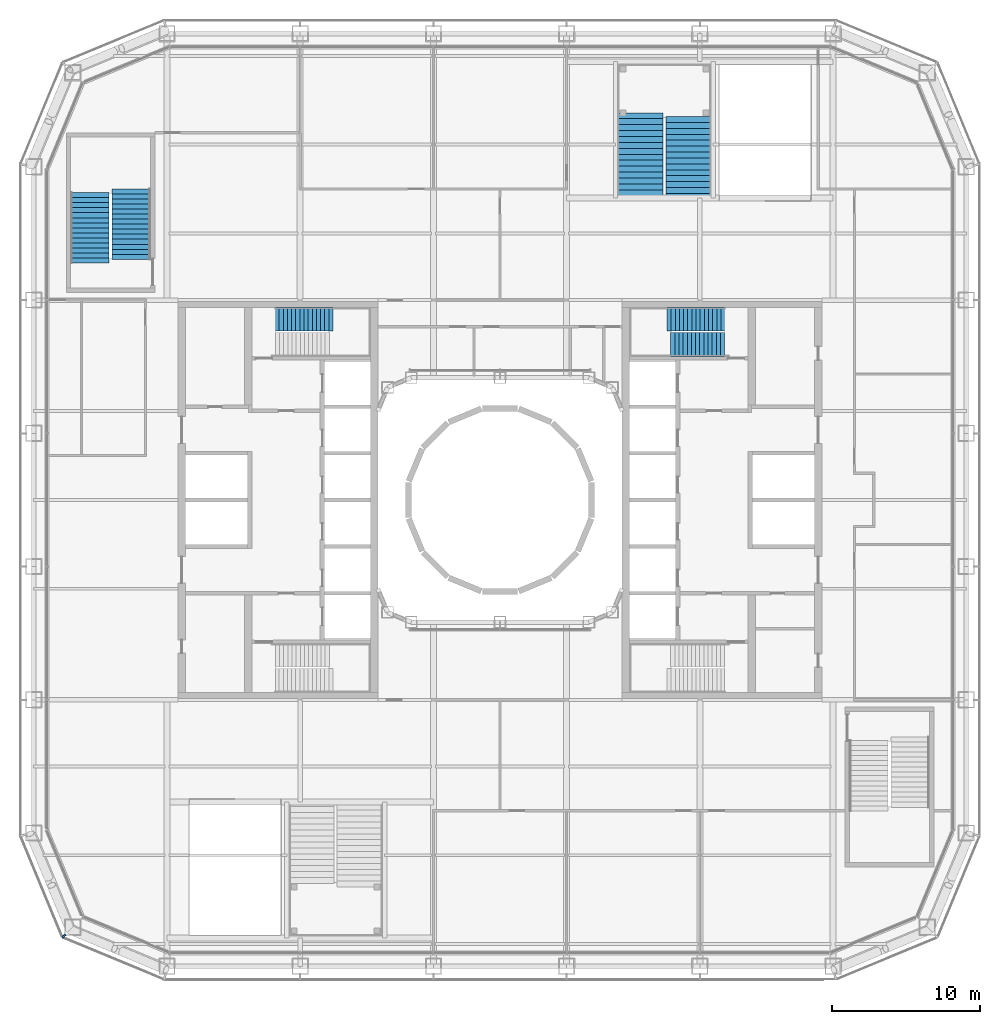
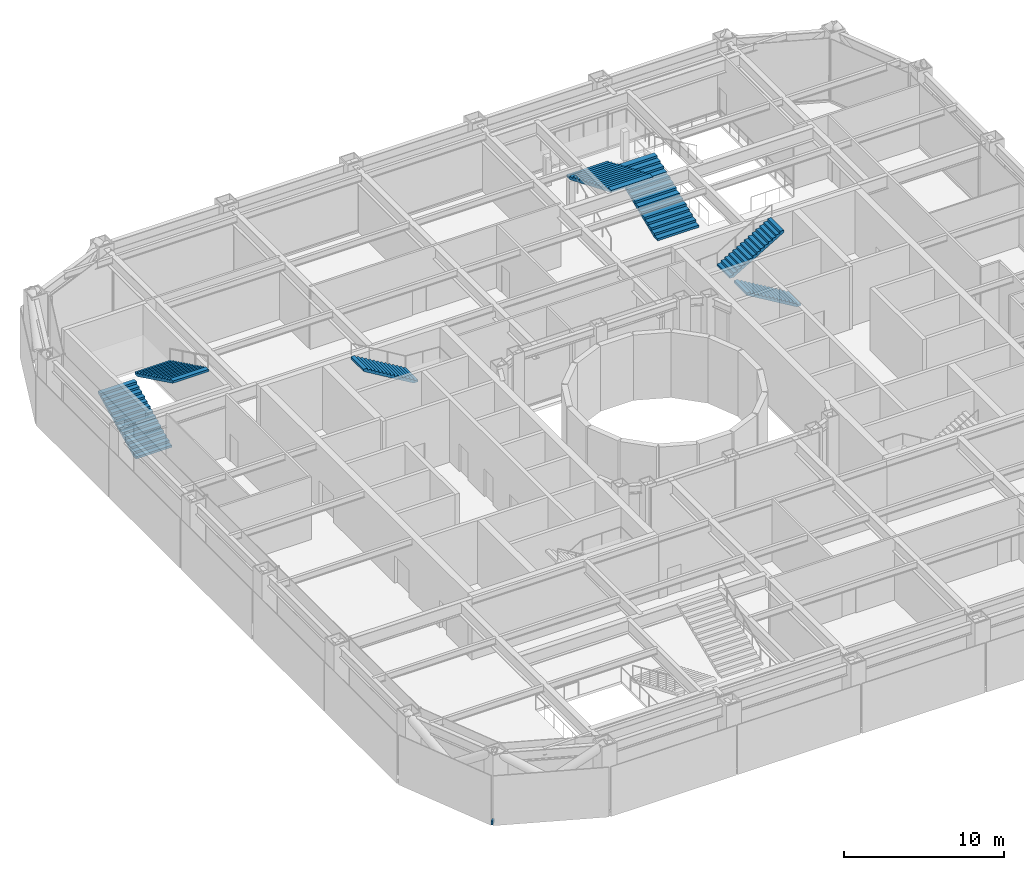
# One storey, part 16 of 25: 7 stair flights, 1 discrete accessory, 4 elements without a shape of their own.
"""IFC4 building model written with IfcOpenShell, lengths in metres."""

from ifc_helpers import new_model, si_unit, direction, frame, origin, origin_2d, place, context, subcontext, project, spatial, polyline, rectangle, outline, extrude, material, type_object, element, aggregate, save


model = new_model("IFC4")

# Units and contexts
model_context = context("Model", 3, precision=1e-05, world=origin(), true_north=direction((0.0, 1.0)))
body_context = subcontext(model_context, "Body", "Model", "MODEL_VIEW")
ifc_project = project(units=[si_unit("LENGTHUNIT", "METRE"), si_unit("AREAUNIT", "SQUARE_METRE"), si_unit("VOLUMEUNIT", "CUBIC_METRE"), si_unit("PLANEANGLEUNIT", "RADIAN"), si_unit("MASSUNIT", "GRAM", prefix="KILO")], contexts=[model_context])

# Site, building, storey
site_placement = place(None, origin())
site = spatial("IfcSite", under=ifc_project, at=site_placement, CompositionType="ELEMENT")
building_placement = place(site_placement, origin())
building = spatial("IfcBuilding", under=site, at=building_placement, Name="Siwar Civic Tower", CompositionType="ELEMENT")
storey_placement = place(building_placement, frame((0.0, 0.0, 7.199951171875)))
storey = spatial("IfcBuildingStorey", under=building, at=storey_placement, Name="L01", CompositionType="ELEMENT", Elevation=7.199951171875)

# Stair, stair flight
ifc_material_1 = material(Name="Concrete C40/50", Category="concrete")
stair_type_1 = type_object("IfcStairType", Name="CORE-STAIR", PredefinedType="TWO_STRAIGHT_RUN_STAIR", material=ifc_material_1)
stair_1_placement = place(storey_placement, origin())
stair_1 = element("IfcStair", 1, at=stair_1_placement, inside=storey, type_object=stair_type_1, Name="Exit stair ST1", PredefinedType="TWO_STRAIGHT_RUN_STAIR")
ifc_material_2 = material(Name="Concrete C40/50", Category="concrete")
stair_flight_type_1 = type_object("IfcStairFlightType", Name="CORE-STAIR-FLIGHT", PredefinedType="STRAIGHT", material=ifc_material_2)
stair_flight_1_placement = place(storey_placement, frame((-11.280029296875, 12.199951171875, 2.5), z_axis=(0.0, 0.0, 1.0), x_axis=(-1.0, 0.0, 0.0)))
stair_flight_1 = element("IfcStairFlight", 2, at=stair_flight_1_placement, type_object=stair_flight_type_1, Name="ST1 flight 2", NumberOfRisers=15, NumberOfTreads=14, PredefinedType="STRAIGHT", RiserHeight=0.166666667, TreadLength=0.28, context=body_context, shape_type="SweptSolid", body=[
    extrude(outline(polyline([(0.0, 0.0), (0.0, 0.166748046875), (0.280029296875, 0.166748046875), (0.280029296875, 0.333251953125), (0.56005859375, 0.333251953125), (0.56005859375, 0.5), (0.840087890625, 0.5), (0.840087890625, 0.666748046875), (1.1201171875, 0.666748046875), (1.1201171875, 0.833251953125), (1.39990234375, 0.833251953125), (1.39990234375, 1.0), (1.679931640625, 1.0), (1.679931640625, 1.166748046875), (1.9599609375, 1.166748046875), (1.9599609375, 1.333251953125), (2.239990234375, 1.333251953125), (2.239990234375, 1.5), (2.52001953125, 1.5), (2.52001953125, 1.666748046875), (2.800048828125, 1.666748046875), (2.800048828125, 1.833251953125), (3.080078125, 1.833251953125), (3.080078125, 2.0), (3.360107421875, 2.0), (3.360107421875, 2.166748046875), (3.639892578125, 2.166748046875), (3.639892578125, 2.333251953125), (3.919921875, 2.333251953125), (3.919921875, 2.5), (3.919921875, 2.158935546875), (0.29296875, 0.0), (0.0, 0.0)])), frame((0.0, 0.800048828125, 0.0), z_axis=(0.0, -1.0, 0.0), x_axis=(1.0, 0.0, 0.0)), (0.0, 0.0, 1.0), 1.60009765625),
])
aggregate(stair_1, [stair_flight_1])

# Stair, stair flights
stair_2_placement = place(storey_placement, origin())
stair_2 = element("IfcStair", 3, at=stair_2_placement, inside=storey, type_object=stair_type_1, Name="Exit stair ST3", PredefinedType="TWO_STRAIGHT_RUN_STAIR")
stair_flight_2_placement = place(storey_placement, frame((15.449951171875, 10.5, 0.0), z_axis=(0.0, 0.0, 1.0), x_axis=(-1.0, 0.0, 0.0)))
stair_flight_2 = element("IfcStairFlight", 4, at=stair_flight_2_placement, type_object=stair_flight_type_1, Name="ST3 flight 1", NumberOfRisers=15, NumberOfTreads=14, PredefinedType="STRAIGHT", RiserHeight=0.166666667, TreadLength=0.28, context=body_context, shape_type="SweptSolid", body=[
    extrude(outline(polyline([(0.0, 0.0), (0.0, 0.166748046875), (0.280029296875, 0.166748046875), (0.280029296875, 0.333251953125), (0.56005859375, 0.333251953125), (0.56005859375, 0.5), (0.840087890625, 0.5), (0.840087890625, 0.666748046875), (1.1201171875, 0.666748046875), (1.1201171875, 0.833251953125), (1.39990234375, 0.833251953125), (1.39990234375, 1.0), (1.679931640625, 1.0), (1.679931640625, 1.166748046875), (1.9599609375, 1.166748046875), (1.9599609375, 1.333251953125), (2.239990234375, 1.333251953125), (2.239990234375, 1.5), (2.52001953125, 1.5), (2.52001953125, 1.666748046875), (2.800048828125, 1.666748046875), (2.800048828125, 1.833251953125), (3.080078125, 1.833251953125), (3.080078125, 2.0), (3.360107421875, 2.0), (3.360107421875, 2.166748046875), (3.639892578125, 2.166748046875), (3.639892578125, 2.333251953125), (3.919921875, 2.333251953125), (3.919921875, 2.5), (3.919921875, 2.158935546875), (0.29296875, 0.0), (0.0, 0.0)])), frame((0.0, 0.800048828125, 0.0), z_axis=(0.0, -1.0, 0.0), x_axis=(1.0, 0.0, 0.0)), (0.0, 0.0, 1.0), 1.60009765625),
])
stair_flight_3_placement = place(storey_placement, frame((11.280029296875, 12.199951171875, 2.5), z_axis=(0.0, 0.0, 1.0), x_axis=(1.0, 0.0, 0.0)))
stair_flight_3 = element("IfcStairFlight", 5, at=stair_flight_3_placement, type_object=stair_flight_type_1, Name="ST3 flight 2", NumberOfRisers=15, NumberOfTreads=14, PredefinedType="STRAIGHT", RiserHeight=0.166666667, TreadLength=0.28, context=body_context, shape_type="SweptSolid", body=[
    extrude(outline(polyline([(0.0, 0.0), (0.0, 0.166748046875), (0.280029296875, 0.166748046875), (0.280029296875, 0.333251953125), (0.56005859375, 0.333251953125), (0.56005859375, 0.5), (0.840087890625, 0.5), (0.840087890625, 0.666748046875), (1.1201171875, 0.666748046875), (1.1201171875, 0.833251953125), (1.39990234375, 0.833251953125), (1.39990234375, 1.0), (1.679931640625, 1.0), (1.679931640625, 1.166748046875), (1.9599609375, 1.166748046875), (1.9599609375, 1.333251953125), (2.239990234375, 1.333251953125), (2.239990234375, 1.5), (2.52001953125, 1.5), (2.52001953125, 1.666748046875), (2.800048828125, 1.666748046875), (2.800048828125, 1.833251953125), (3.080078125, 1.833251953125), (3.080078125, 2.0), (3.360107421875, 2.0), (3.360107421875, 2.166748046875), (3.639892578125, 2.166748046875), (3.639892578125, 2.333251953125), (3.919921875, 2.333251953125), (3.919921875, 2.5), (3.919921875, 2.158935546875), (0.29296875, 0.0), (0.0, 0.0)])), frame((0.0, 0.800048828125, 0.0), z_axis=(0.0, -1.0, 0.0), x_axis=(1.0, 0.0, 0.0)), (0.0, 0.0, 1.0), 1.60009765625),
])
aggregate(stair_2, [stair_flight_2, stair_flight_3])

ifc_material_3 = material(Name="Concrete C40/50", Category="concrete")
stair_type_2 = type_object("IfcStairType", Name="GND-ES-STAIR-UPPER", PredefinedType="TWO_STRAIGHT_RUN_STAIR", material=ifc_material_3)
stair_3_placement = place(storey_placement, origin())
stair_3 = element("IfcStair", 6, at=stair_3_placement, inside=storey, type_object=stair_type_2, Name="Exit stair ST5", PredefinedType="TWO_STRAIGHT_RUN_STAIR")
ifc_material_4 = material(Name="Concrete C40/50", Category="concrete")
stair_flight_type_2 = type_object("IfcStairFlightType", Name="GND-ES-FLIGHT-UPPER", PredefinedType="STRAIGHT", material=ifc_material_4)
stair_flight_4_placement = place(storey_placement, frame((-27.699951171875, 16.0, 0.0), z_axis=(0.0, 0.0, 1.0), x_axis=(0.0, 1.0, 0.0)))
stair_flight_4 = element("IfcStairFlight", 7, at=stair_flight_4_placement, type_object=stair_flight_type_2, Name="ST5 flight 1", NumberOfRisers=15, NumberOfTreads=14, PredefinedType="STRAIGHT", RiserHeight=0.166667, TreadLength=0.34, context=body_context, shape_type="SweptSolid", body=[
    extrude(outline(polyline([(0.0, 0.0), (0.0, 0.166748046875), (0.340087890625, 0.166748046875), (0.340087890625, 0.333251953125), (0.679931640625, 0.333251953125), (0.679931640625, 0.5), (1.02001953125, 0.5), (1.02001953125, 0.666748046875), (1.360107421875, 0.666748046875), (1.360107421875, 0.833251953125), (1.699951171875, 0.833251953125), (1.699951171875, 1.0), (2.0400390625, 1.0), (2.0400390625, 1.166748046875), (2.3798828125, 1.166748046875), (2.3798828125, 1.333251953125), (2.719970703125, 1.333251953125), (2.719970703125, 1.5), (3.06005859375, 1.5), (3.06005859375, 1.666748046875), (3.39990234375, 1.666748046875), (3.39990234375, 1.833251953125), (3.739990234375, 1.833251953125), (3.739990234375, 2.0), (4.080078125, 2.0), (4.080078125, 2.166748046875), (4.419921875, 2.166748046875), (4.419921875, 2.333251953125), (4.760009765625, 2.333251953125), (4.760009765625, 2.5), (4.760009765625, 2.16650390625), (0.340576171875, 0.0), (0.0, 0.0)])), frame((0.0, 1.300048828125, 0.0), z_axis=(0.0, -1.0, 0.0), x_axis=(1.0, 0.0, 0.0)), (0.0, 0.0, 1.0), 2.60009765625),
])
stair_flight_5_placement = place(storey_placement, frame((-24.89990234375, 21.010009765625, 2.5), z_axis=(0.0, 0.0, 1.0), x_axis=(0.0, -1.0, 0.0)))
stair_flight_5 = element("IfcStairFlight", 8, at=stair_flight_5_placement, type_object=stair_flight_type_2, Name="ST5 flight 2", NumberOfRisers=15, NumberOfTreads=14, PredefinedType="STRAIGHT", RiserHeight=0.166667, TreadLength=0.34, context=body_context, shape_type="SweptSolid", body=[
    extrude(outline(polyline([(0.0, 0.0), (0.0, 0.166748046875), (0.340087890625, 0.166748046875), (0.340087890625, 0.333251953125), (0.679931640625, 0.333251953125), (0.679931640625, 0.5), (1.02001953125, 0.5), (1.02001953125, 0.666748046875), (1.360107421875, 0.666748046875), (1.360107421875, 0.833251953125), (1.699951171875, 0.833251953125), (1.699951171875, 1.0), (2.0400390625, 1.0), (2.0400390625, 1.166748046875), (2.3798828125, 1.166748046875), (2.3798828125, 1.333251953125), (2.719970703125, 1.333251953125), (2.719970703125, 1.5), (3.06005859375, 1.5), (3.06005859375, 1.666748046875), (3.39990234375, 1.666748046875), (3.39990234375, 1.833251953125), (3.739990234375, 1.833251953125), (3.739990234375, 2.0), (4.080078125, 2.0), (4.080078125, 2.166748046875), (4.419921875, 2.166748046875), (4.419921875, 2.333251953125), (4.760009765625, 2.333251953125), (4.760009765625, 2.5), (4.760009765625, 2.16650390625), (0.340576171875, 0.0), (0.0, 0.0)])), frame((0.0, 1.300048828125, 0.0), z_axis=(0.0, -1.0, 0.0), x_axis=(1.0, 0.0, 0.0)), (0.0, 0.0, 1.0), 2.60009765625),
])
aggregate(stair_3, [stair_flight_4, stair_flight_5])

ifc_material_5 = material(Name="Concrete C40/50", Category="concrete")
stair_type_3 = type_object("IfcStairType", Name="GND-GS-STAIR", PredefinedType="TWO_STRAIGHT_RUN_STAIR", material=ifc_material_5)
stair_4_placement = place(storey_placement, origin())
stair_4 = element("IfcStair", 9, at=stair_4_placement, inside=storey, type_object=stair_type_3, Name="Grand stair 2", PredefinedType="TWO_STRAIGHT_RUN_STAIR")
ifc_material_6 = material(Name="Concrete C40/50", Category="concrete")
stair_flight_type_3 = type_object("IfcStairFlightType", Name="GND-GS-FLIGHT", PredefinedType="STRAIGHT", material=ifc_material_6)
stair_flight_6_placement = place(storey_placement, frame((12.699951171875, 20.300048828125, 0.0), z_axis=(0.0, 0.0, 1.0), x_axis=(0.0, 1.0, 0.0)))
stair_flight_6 = element("IfcStairFlight", 10, at=stair_flight_6_placement, type_object=stair_flight_type_3, Name="GS2 flight 1", NumberOfRisers=15, NumberOfTreads=14, PredefinedType="STRAIGHT", RiserHeight=0.166667, TreadLength=0.4, context=body_context, shape_type="SweptSolid", body=[
    extrude(outline(polyline([(0.0, 0.0), (0.0, 0.166748046875), (0.39990234375, 0.166748046875), (0.39990234375, 0.333251953125), (0.800048828125, 0.333251953125), (0.800048828125, 0.5), (1.199951171875, 0.5), (1.199951171875, 0.666748046875), (1.60009765625, 0.666748046875), (1.60009765625, 0.833251953125), (2.0, 0.833251953125), (2.0, 1.0), (2.39990234375, 1.0), (2.39990234375, 1.166748046875), (2.800048828125, 1.166748046875), (2.800048828125, 1.333251953125), (3.199951171875, 1.333251953125), (3.199951171875, 1.5), (3.60009765625, 1.5), (3.60009765625, 1.666748046875), (4.0, 1.666748046875), (4.0, 1.833251953125), (4.39990234375, 1.833251953125), (4.39990234375, 2.0), (4.800048828125, 2.0), (4.800048828125, 2.166748046875), (5.199951171875, 2.166748046875), (5.199951171875, 2.333251953125), (5.60009765625, 2.333251953125), (5.60009765625, 2.5), (5.60009765625, 2.1708984375), (0.3896484375, 0.0), (0.0, 0.0)])), frame((0.0, 1.5, 0.0), z_axis=(0.0, -1.0, 0.0), x_axis=(1.0, 0.0, 0.0)), (0.0, 0.0, 1.0), 3.0),
])
stair_flight_7_placement = place(storey_placement, frame((9.5, 26.14990234375, 2.5), z_axis=(0.0, 0.0, 1.0), x_axis=(0.0, -1.0, 0.0)))
stair_flight_7 = element("IfcStairFlight", 11, at=stair_flight_7_placement, type_object=stair_flight_type_3, Name="GS2 flight 2", NumberOfRisers=15, NumberOfTreads=14, PredefinedType="STRAIGHT", RiserHeight=0.166667, TreadLength=0.4, context=body_context, shape_type="SweptSolid", body=[
    extrude(outline(polyline([(0.0, 0.0), (0.0, 0.166748046875), (0.39990234375, 0.166748046875), (0.39990234375, 0.333251953125), (0.800048828125, 0.333251953125), (0.800048828125, 0.5), (1.199951171875, 0.5), (1.199951171875, 0.666748046875), (1.60009765625, 0.666748046875), (1.60009765625, 0.833251953125), (2.0, 0.833251953125), (2.0, 1.0), (2.39990234375, 1.0), (2.39990234375, 1.166748046875), (2.800048828125, 1.166748046875), (2.800048828125, 1.333251953125), (3.199951171875, 1.333251953125), (3.199951171875, 1.5), (3.60009765625, 1.5), (3.60009765625, 1.666748046875), (4.0, 1.666748046875), (4.0, 1.833251953125), (4.39990234375, 1.833251953125), (4.39990234375, 2.0), (4.800048828125, 2.0), (4.800048828125, 2.166748046875), (5.199951171875, 2.166748046875), (5.199951171875, 2.333251953125), (5.60009765625, 2.333251953125), (5.60009765625, 2.5), (5.60009765625, 2.1708984375), (0.3896484375, 0.0), (0.0, 0.0)])), frame((0.0, 1.5, 0.0), z_axis=(0.0, -1.0, 0.0), x_axis=(1.0, 0.0, 0.0)), (0.0, 0.0, 1.0), 3.0),
])
aggregate(stair_4, [stair_flight_6, stair_flight_7])

# Discrete accessory
ifc_material_7 = material(Name="Stainless steel 316", Category="steel")
discrete_accessory_type = type_object("IfcDiscreteAccessoryType", Name="ENV-BRACKET", PredefinedType="BRACKET", material=ifc_material_7)
discrete_accessory_placement = place(storey_placement, frame((-29.451416015625, -29.451416015625, -0.14990234375), z_axis=(0.0, 0.0, 1.0), x_axis=(-0.707106781187, -0.707106781187, 0.0)))
element("IfcDiscreteAccessory", 12, at=discrete_accessory_placement, inside=storey, type_object=discrete_accessory_type, Name="Bracket outer skin joint V11", PredefinedType="BRACKET", context=body_context, shape_type="SweptSolid", body=[
    extrude(rectangle(XDim=0.287109375, YDim=0.12939453125, at=origin_2d()), origin(), (0.0, 0.0, 1.0), 0.300048828125),
])

save(model, "model.ifc")
